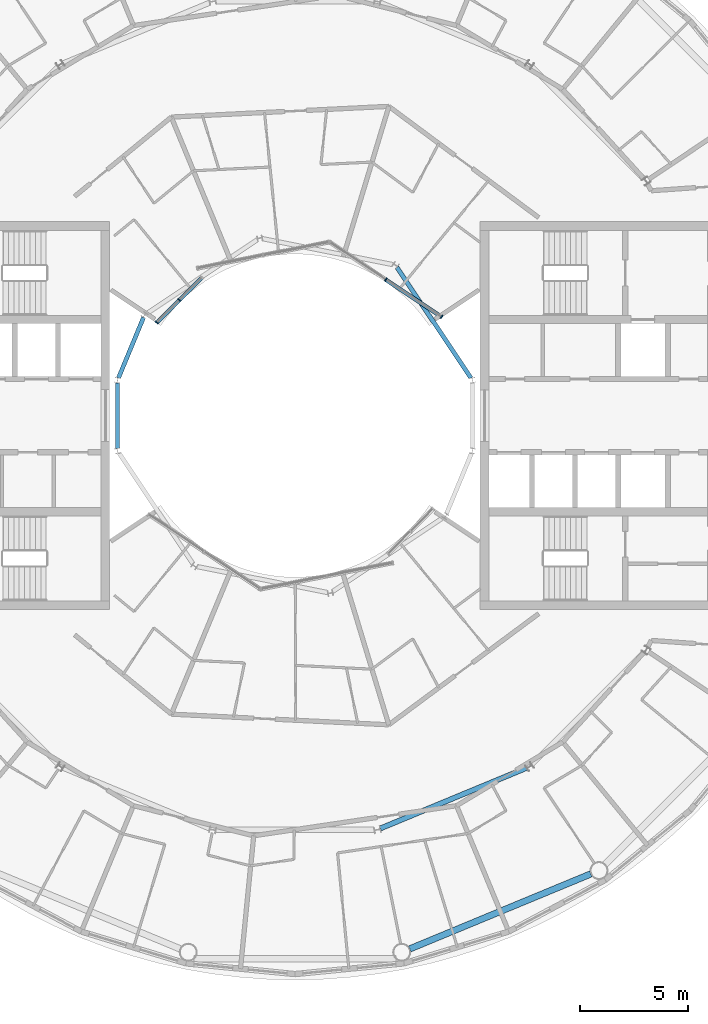
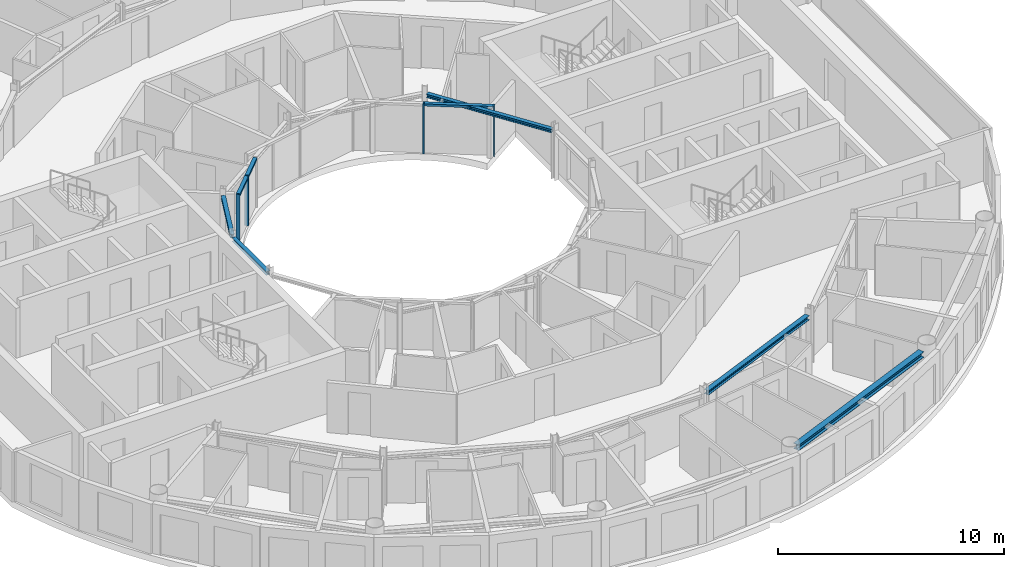
# One storey, part 7 of 22: 7 members, 5 beams, 2 elements without a shape of their own.
"""IFC4 building model written with IfcOpenShell, lengths in metres."""

from ifc_helpers import new_model, si_unit, direction, frame, origin, origin_2d, place, context, subcontext, project, spatial, rectangle, i_section, extrude, material, layer, layer_set, material_profile, profile_set, type_object, element, aggregate, save


model = new_model("IFC4")

# Units and contexts
model_context = context("Model", 3, precision=1e-05, world=origin(), true_north=direction((0.0, 1.0)))
body_context = subcontext(model_context, "Body", "Model", "MODEL_VIEW")
ifc_project = project(units=[si_unit("LENGTHUNIT", "METRE"), si_unit("AREAUNIT", "SQUARE_METRE"), si_unit("VOLUMEUNIT", "CUBIC_METRE"), si_unit("PLANEANGLEUNIT", "RADIAN"), si_unit("MASSUNIT", "GRAM", prefix="KILO")], contexts=[model_context])

# Site, building, storey
site_placement = place(None, origin())
site = spatial("IfcSite", under=ifc_project, at=site_placement, CompositionType="ELEMENT")
building_placement = place(site_placement, origin())
building = spatial("IfcBuilding", under=site, at=building_placement, Name="Maasbend Ring Residences", CompositionType="ELEMENT")
storey_placement = place(building_placement, frame((0.0, 0.0, 237.10009765625)))
storey = spatial("IfcBuildingStorey", under=building, at=storey_placement, Name="L68", CompositionType="ELEMENT", Elevation=237.10009765625)

# Curtain wall, members
ifc_material_1 = material(Name="Aluminium and clear glass", Category="aluminium")
ifc_layer = layer(ifc_material_1, 0.179931640625)
ifc_layer_set = layer_set([ifc_layer], Name="CW-W")
curtain_wall_type = type_object("IfcCurtainWallType", Name="CW-W", PredefinedType="NOTDEFINED", material=ifc_layer_set)
curtain_wall_1_placement = place(storey_placement, origin())
curtain_wall_1 = element("IfcCurtainWall", 1, at=curtain_wall_1_placement, inside=storey, type_object=curtain_wall_type, Name="Well curtain wall N1", PredefinedType="NOTDEFINED")
ifc_material_2 = material(Name="Aluminium 6063-T6", Category="aluminium")
ifc_material_profile_1 = material_profile(ifc_material_2, rectangle(XDim=0.179931640625, YDim=0.06005859375, at=origin_2d()), Name="AL 180x60")
ifc_profile_set_1 = profile_set([ifc_material_profile_1], Name="Aluminium 6063-T6")
member_type_1 = type_object("IfcMemberType", Name="CWM-W", PredefinedType="MULLION", material=ifc_profile_set_1)
member_1_placement = place(storey_placement, frame((6.805908203125, 4.580810546875, 0.0), z_axis=(0.0, 0.0, 1.0), x_axis=(-0.55557023302, -0.831469612303, 0.0)))
member_1 = element("IfcMember", 2, at=member_1_placement, type_object=member_type_1, Name="Mullion well face", PredefinedType="MULLION", context=body_context, shape_type="SweptSolid", body=[
    extrude(rectangle(XDim=0.179931640625, YDim=0.06005859375, at=origin_2d()), origin(), (0.0, 0.0, 1.0), 2.699951171875),
])
member_2_placement = place(storey_placement, frame((4.216796875, 6.310791015625, 0.0), z_axis=(0.0, 0.0, 1.0), x_axis=(-0.55557023302, -0.831469612303, 0.0)))
member_2 = element("IfcMember", 3, at=member_2_placement, type_object=member_type_1, Name="Mullion well face", PredefinedType="MULLION", context=body_context, shape_type="SweptSolid", body=[
    extrude(rectangle(XDim=0.179931640625, YDim=0.06005859375, at=origin_2d()), origin(), (0.0, 0.0, 1.0), 2.699951171875),
])

curtain_wall_2_placement = place(storey_placement, origin())
curtain_wall_2 = element("IfcCurtainWall", 4, at=curtain_wall_2_placement, inside=storey, type_object=curtain_wall_type, Name="Well curtain wall N3", PredefinedType="NOTDEFINED")
member_3_placement = place(storey_placement, frame((-5.366943359375, 5.366943359375, 0.0), z_axis=(0.0, 0.0, 1.0), x_axis=(0.707106781187, -0.707106781187, 0.0)))
member_3 = element("IfcMember", 5, at=member_3_placement, type_object=member_type_1, Name="Mullion well face", PredefinedType="MULLION", context=body_context, shape_type="SweptSolid", body=[
    extrude(rectangle(XDim=0.179931640625, YDim=0.06005859375, at=origin_2d()), origin(), (0.0, 0.0, 1.0), 2.699951171875),
])
member_4_placement = place(storey_placement, frame((-6.413330078125, 4.320556640625, 0.0), z_axis=(0.0, 0.0, 1.0), x_axis=(0.707106781187, -0.707106781187, 0.0)))
member_4 = element("IfcMember", 6, at=member_4_placement, type_object=member_type_1, Name="Mullion well face", PredefinedType="MULLION", context=body_context, shape_type="SweptSolid", body=[
    extrude(rectangle(XDim=0.179931640625, YDim=0.06005859375, at=origin_2d()), origin(), (0.0, 0.0, 1.0), 2.699951171875),
])

# Member
ifc_material_3 = material(Name="Aluminium 6063-T6", Category="aluminium")
ifc_material_profile_2 = material_profile(ifc_material_3, rectangle(XDim=0.179931640625, YDim=0.1201171875, at=origin_2d()), Name="AL 180x120")
ifc_profile_set_2 = profile_set([ifc_material_profile_2], Name="Aluminium 6063-T6")
member_type_2 = type_object("IfcMemberType", Name="CWT-W", PredefinedType="USERDEFINED", material=ifc_profile_set_2)
member_5_placement = place(storey_placement, frame((6.781005859375, 4.59765625, 2.639892578125), z_axis=(-0.831496422459, 0.555530106689, 0.0), x_axis=(-0.555530106689, -0.831496422459, 0.0)))
member_5 = element("IfcMember", 7, at=member_5_placement, type_object=member_type_2, Name="Transom well face", ObjectType="TRANSOM", PredefinedType="USERDEFINED", context=body_context, shape_type="SweptSolid", body=[
    extrude(rectangle(XDim=0.179931640625, YDim=0.1201171875, at=origin_2d()), origin(), (0.0, 0.0, 1.0), 3.053955078125),
])

aggregate(curtain_wall_1, [member_1, member_2, member_5])

member_6_placement = place(storey_placement, frame((-4.341796875, 6.39208984375, 2.639892578125), z_axis=(-0.707106781187, -0.707106781187, 0.0), x_axis=(0.707106781187, -0.707106781187, 0.0)))
member_6 = element("IfcMember", 8, at=member_6_placement, type_object=member_type_2, Name="Transom well face", ObjectType="TRANSOM", PredefinedType="USERDEFINED", context=body_context, shape_type="SweptSolid", body=[
    extrude(rectangle(XDim=0.179931640625, YDim=0.1201171875, at=origin_2d()), origin(), (0.0, 0.0, 1.0), 1.419677734375),
])

member_7_placement = place(storey_placement, frame((-5.38818359375, 5.345703125, 2.639892578125), z_axis=(-0.707106781187, -0.707106781187, 0.0), x_axis=(0.707106781187, -0.707106781187, 0.0)))
member_7 = element("IfcMember", 9, at=member_7_placement, type_object=member_type_2, Name="Transom well face", ObjectType="TRANSOM", PredefinedType="USERDEFINED", context=body_context, shape_type="SweptSolid", body=[
    extrude(rectangle(XDim=0.179931640625, YDim=0.1201171875, at=origin_2d()), origin(), (0.0, 0.0, 1.0), 1.419677734375),
])

aggregate(curtain_wall_2, [member_3, member_4, member_6, member_7])

# Beams
ifc_material_4 = material(Name="Steel S355J2", Category="steel")
ifc_material_profile_3 = material_profile(ifc_material_4, i_section(OverallWidth=0.239990234375, OverallDepth=0.22998046875, WebThickness=0.007568359375, FlangeThickness=0.011962890625, FilletRadius=0.02099609375, at=origin_2d()), Name="HEA 240")
ifc_profile_set_3 = profile_set([ifc_material_profile_3], Name="Steel S355J2")
beam_type_1 = type_object("IfcBeamType", Name="Corridor ring beam HEA 240", PredefinedType="BEAM", material=ifc_profile_set_3)
beam_1_placement = place(storey_placement, frame((3.965087890625, -19.164794921875, 2.5849609375), z_axis=(0.923875784142, 0.382692481603, 0.0), x_axis=(-0.382692481603, 0.923875784142, 0.0)))
element("IfcBeam", 10, at=beam_1_placement, inside=storey, type_object=beam_type_1, Name="Corridor ring beam", PredefinedType="BEAM", context=body_context, shape_type="SweptSolid", body=[
    extrude(i_section(OverallWidth=0.239990234375, OverallDepth=0.22998046875, WebThickness=0.007568359375, FlangeThickness=0.011962890625, FilletRadius=0.02099609375, at=origin_2d()), origin(), (0.0, 0.0, 1.0), 7.341552734375),
])
ifc_material_5 = material(Name="Steel S355J2", Category="steel")
ifc_material_profile_4 = material_profile(ifc_material_5, i_section(OverallWidth=0.300048828125, OverallDepth=0.300048828125, WebThickness=0.010986328125, FlangeThickness=0.01904296875, FilletRadius=0.027099609375, at=origin_2d()), Name="HEB 300")
ifc_profile_set_4 = profile_set([ifc_material_profile_4], Name="Steel S355J2")
beam_type_2 = type_object("IfcBeamType", Name="Spandrel ring beam HEB 300", PredefinedType="SPANDREL", material=ifc_profile_set_4)
beam_2_placement = place(storey_placement, frame((5.330810546875, -24.75634765625, 2.5498046875), z_axis=(0.923880768897, 0.382680447453, 0.0), x_axis=(-0.382680447453, 0.923880768897, 0.0)))
element("IfcBeam", 11, at=beam_2_placement, inside=storey, type_object=beam_type_2, Name="Spandrel ring beam", PredefinedType="SPANDREL", context=body_context, shape_type="SweptSolid", body=[
    extrude(i_section(OverallWidth=0.300048828125, OverallDepth=0.300048828125, WebThickness=0.010986328125, FlangeThickness=0.01904296875, FilletRadius=0.027099609375, at=origin_2d()), origin(), (0.0, 0.0, 1.0), 9.097412109375),
])
ifc_material_6 = material(Name="Steel S355J2", Category="steel")
ifc_material_profile_5 = material_profile(ifc_material_6, i_section(OverallWidth=0.199951171875, OverallDepth=0.18994140625, WebThickness=0.006591796875, FlangeThickness=0.010009765625, FilletRadius=0.01806640625, at=origin_2d()), Name="HEA 200")
ifc_profile_set_5 = profile_set([ifc_material_profile_5], Name="Steel S355J2")
beam_type_3 = type_object("IfcBeamType", Name="Well edge beam HEA 200", PredefinedType="BEAM", material=ifc_profile_set_5)
beam_3_placement = place(storey_placement, frame((8.16943359375, 1.7421875, 2.60498046875), z_axis=(-0.555547729421, 0.831484648286, 0.0), x_axis=(-0.831484648286, -0.555547729421, 0.0)))
element("IfcBeam", 12, at=beam_3_placement, inside=storey, type_object=beam_type_3, Name="Well edge beam", PredefinedType="BEAM", context=body_context, shape_type="SweptSolid", body=[
    extrude(i_section(OverallWidth=0.199951171875, OverallDepth=0.18994140625, WebThickness=0.006591796875, FlangeThickness=0.010009765625, FilletRadius=0.01806640625, at=origin_2d()), origin(), (0.0, 0.0, 1.0), 6.18017578125),
])
for number, where, z_axis, x_axis, name in (
    (13, (-7.029296875, 4.55859375, 2.60498046875), (-0.382609241817, -0.923910259753, 0.0), (0.923910259753, -0.382609241817, 0.0), "Well edge beam"),
    (14, (-8.238525390625, 1.521484375, 2.60498046875), (0.0, -1.0, 0.0), (1.0, 0.0, 0.0), "Well edge beam"),
):
    element("IfcBeam", number, at=place(storey_placement, frame(where, z_axis=z_axis, x_axis=x_axis)), inside=storey, type_object=beam_type_3, Name=name, PredefinedType="BEAM", context=body_context, shape_type="SweptSolid", body=[
        extrude(i_section(OverallWidth=0.199951171875, OverallDepth=0.18994140625, WebThickness=0.006591796875, FlangeThickness=0.010009765625, FilletRadius=0.01806640625, at=origin_2d()), origin(), (0.0, 0.0, 1.0), 3.04296875),
    ])

save(model, "model.ifc")
